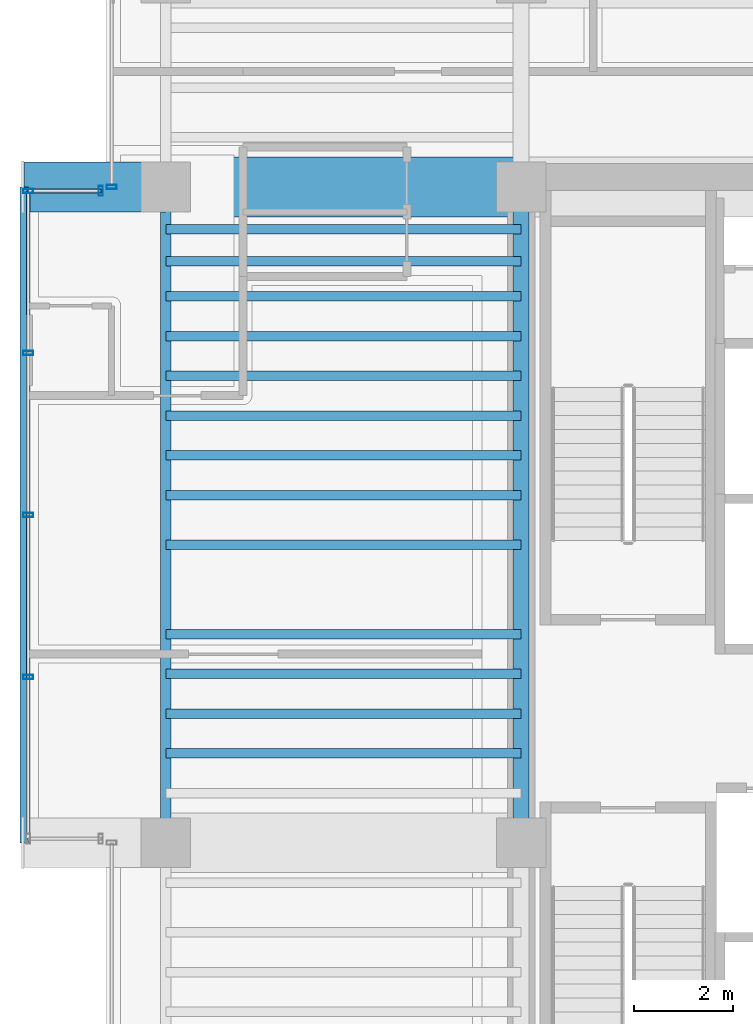
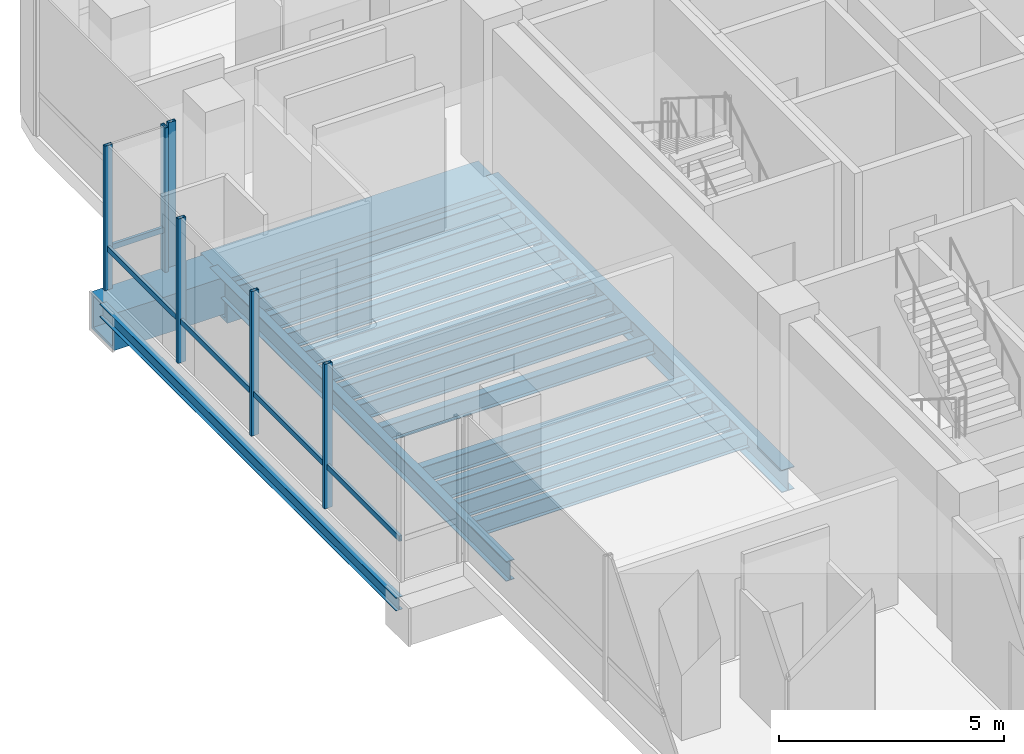
# One storey, part 7 of 37: 18 beams, 8 members, 3 elements without a shape of their own.
"""IFC4 building model written with IfcOpenShell, lengths in metres."""

from ifc_helpers import new_model, si_unit, direction, frame, origin, origin_2d, place, context, subcontext, project, spatial, hollow_rectangle, i_section, extrude, source, transform, mapped, material, material_profile, profile_set, type_object, element, aggregate, save


model = new_model("IFC4")

# Units and contexts
model_context = context("Model", 3, precision=1e-05, world=origin(), true_north=direction((0.0, 1.0)))
body_context = subcontext(model_context, "Body", "Model", "MODEL_VIEW")
ifc_project = project(units=[si_unit("LENGTHUNIT", "METRE"), si_unit("AREAUNIT", "SQUARE_METRE"), si_unit("VOLUMEUNIT", "CUBIC_METRE"), si_unit("PLANEANGLEUNIT", "RADIAN"), si_unit("MASSUNIT", "GRAM", prefix="KILO")], contexts=[model_context])

# Site, building, storey
site_placement = place(None, origin())
site = spatial("IfcSite", under=ifc_project, at=site_placement, CompositionType="ELEMENT")
building_placement = place(site_placement, origin())
building = spatial("IfcBuilding", under=site, at=building_placement, Name="Valdorenza Pilgrim Sanctuary Tower", CompositionType="ELEMENT")
storey_placement = place(building_placement, frame((0.0, 0.0, 172.300048828125)))
storey = spatial("IfcBuildingStorey", under=building, at=storey_placement, Name="L44", CompositionType="ELEMENT", Elevation=172.300048828125)

# Beams
ifc_material_1 = material(Name="Steel ASTM A992 Grade 50", Category="steel")
ifc_material_profile_1 = material_profile(ifc_material_1, i_section(OverallWidth=0.323974609375, OverallDepth=0.611083984375, WebThickness=0.0126953125, FlangeThickness=0.01904296875, at=origin_2d()), Name="W24X104")
ifc_profile_set_1 = profile_set([ifc_material_profile_1], Name="Steel ASTM A992 Grade 50")
beam_type_1 = type_object("IfcBeamType", Name="STR-BM-GRD-W24B", PredefinedType="BEAM", material=ifc_profile_set_1)
shared_shape_1 = source(origin(), body_context, "Body", "SweptSolid", [
    extrude(i_section(OverallWidth=0.323974609375, OverallDepth=0.611083984375, WebThickness=0.0126953125, FlangeThickness=0.01904296875, at=origin_2d()), origin(), (0.0, 0.0, 1.0), 13.2001953125),
])
beam_1_placement = place(storey_placement, frame((-22.64990234375, -2.60009765625, -0.70556640625), z_axis=(0.0, 1.0, 0.0), x_axis=(-1.0, 0.0, 0.0)))
element("IfcBeam", 1, at=beam_1_placement, inside=storey, type_object=beam_type_1, Name="L44 Core Tie Girder CA-W-M0N1", PredefinedType="BEAM", context=body_context, shape_type="MappedRepresentation", body=[
    mapped(shared_shape_1, transform((0.0, 0.0, 0.0), x_axis=(1.0, 0.0, 0.0), y_axis=(0.0, 1.0, 0.0), z_axis=(0.0, 0.0, 1.0), scale=1.0)),
])
ifc_material_2 = material(Name="Steel ASTM A572 Grade 42", Category="steel")
ifc_material_profile_2 = material_profile(ifc_material_2, hollow_rectangle(XDim=1.199951171875, YDim=1.199951171875, WallThickness=0.090087890625, at=origin_2d()), Name="BOX 1200x1200x90")
ifc_profile_set_2 = profile_set([ifc_material_profile_2], Name="Steel ASTM A572 Grade 42")
beam_type_2 = type_object("IfcBeamType", Name="STR-BM-TRF-1200", PredefinedType="BEAM", material=ifc_profile_set_2)
shared_shape_2 = source(origin(), body_context, "Body", "SweptSolid", [
    extrude(hollow_rectangle(XDim=1.199951171875, YDim=1.199951171875, WallThickness=0.090087890625, at=origin_2d()), origin(), (0.0, 0.0, 1.0), 7.150146484375),
])
beam_2_placement = place(storey_placement, frame((-29.800048828125, 10.60009765625, -1.0), z_axis=(1.0, 0.0, 0.0), x_axis=(0.0, 1.0, 0.0)))
element("IfcBeam", 2, at=beam_2_placement, inside=storey, type_object=beam_type_2, Name="L44 Transfer Girder WA-XW-N1", PredefinedType="BEAM", context=body_context, shape_type="MappedRepresentation", body=[
    mapped(shared_shape_2, transform((0.0, 0.0, 0.0), x_axis=(1.0, 0.0, 0.0), y_axis=(0.0, 1.0, 0.0), z_axis=(0.0, 0.0, 1.0), scale=1.0)),
])
ifc_material_profile_3 = material_profile(ifc_material_1, i_section(OverallWidth=0.1708984375, OverallDepth=0.35107421875, WebThickness=0.0068359375, FlangeThickness=0.009765625, at=origin_2d()), Name="W14X30")
ifc_profile_set_3 = profile_set([ifc_material_profile_3], Name="Steel ASTM A992 Grade 50")
beam_type_3 = type_object("IfcBeamType", Name="STR-BM-BOX-W14", PredefinedType="BEAM", material=ifc_profile_set_3)
shared_shape_3 = source(origin(), body_context, "Body", "SweptSolid", [
    extrude(i_section(OverallWidth=0.1708984375, OverallDepth=0.35107421875, WebThickness=0.0068359375, FlangeThickness=0.009765625, at=origin_2d()), origin(), (0.0, 0.0, 1.0), 13.2001953125),
])
beam_3_placement = place(storey_placement, frame((-32.64990234375, -2.60009765625, -0.575439453125), z_axis=(0.0, 1.0, 0.0), x_axis=(-1.0, 0.0, 0.0)))
element("IfcBeam", 3, at=beam_3_placement, inside=storey, type_object=beam_type_3, Name="L44 Glass Box Edge Beam BOX-WA-L44-F", PredefinedType="BEAM", context=body_context, shape_type="MappedRepresentation", body=[
    mapped(shared_shape_3, transform((0.0, 0.0, 0.0), x_axis=(1.0, 0.0, 0.0), y_axis=(0.0, 1.0, 0.0), z_axis=(0.0, 0.0, 1.0), scale=1.0)),
])
ifc_material_profile_4 = material_profile(ifc_material_1, i_section(OverallWidth=0.19091796875, OverallDepth=0.45703125, WebThickness=0.009033203125, FlangeThickness=0.014404296875, at=origin_2d()), Name="W18X50")
ifc_profile_set_4 = profile_set([ifc_material_profile_4], Name="Steel ASTM A992 Grade 50")
beam_type_4 = type_object("IfcBeamType", Name="STR-BM-JST-W18B", PredefinedType="JOIST", material=ifc_profile_set_4)
shared_shape_4 = source(origin(), body_context, "Body", "SweptSolid", [
    extrude(i_section(OverallWidth=0.19091796875, OverallDepth=0.45703125, WebThickness=0.009033203125, FlangeThickness=0.014404296875, at=origin_2d()), origin(), (0.0, 0.0, 1.0), 7.150146484375),
])
for number, where, z_axis, x_axis, name in (
    (4, (-29.800048828125, -0.800048828125, -0.628662109375), (1.0, 0.0, 0.0), (0.0, 1.0, 0.0), "L44 Composite Floor Joist JST-WA-11"),
    (5, (-29.800048828125, 0.0, -0.628662109375), (1.0, 0.0, 0.0), (0.0, 1.0, 0.0), "L44 Composite Floor Joist JST-WA-12"),
    (6, (-29.800048828125, 0.800048828125, -0.628662109375), (1.0, 0.0, 0.0), (0.0, 1.0, 0.0), "L44 Composite Floor Joist JST-WA-13"),
    (7, (-29.800048828125, 1.60009765625, -0.628662109375), (1.0, 0.0, 0.0), (0.0, 1.0, 0.0), "L44 Composite Floor Joist JST-WA-14"),
    (8, (-29.800048828125, 3.39990234375, -0.628662109375), (1.0, 0.0, 0.0), (0.0, 1.0, 0.0), "L44 Composite Floor Joist JST-WA-15"),
    (9, (-29.800048828125, 4.39990234375, -0.628662109375), (1.0, 0.0, 0.0), (0.0, 1.0, 0.0), "L44 Composite Floor Joist JST-WA-16"),
    (10, (-29.800048828125, 5.199951171875, -0.628662109375), (1.0, 0.0, 0.0), (0.0, 1.0, 0.0), "L44 Composite Floor Joist JST-WA-17"),
    (11, (-29.800048828125, 6.0, -0.628662109375), (1.0, 0.0, 0.0), (0.0, 1.0, 0.0), "L44 Composite Floor Joist JST-WA-18"),
    (12, (-29.800048828125, 6.800048828125, -0.628662109375), (1.0, 0.0, 0.0), (0.0, 1.0, 0.0), "L44 Composite Floor Joist JST-WA-19"),
    (13, (-29.800048828125, 7.60009765625, -0.628662109375), (1.0, 0.0, 0.0), (0.0, 1.0, 0.0), "L44 Composite Floor Joist JST-WA-20"),
    (14, (-29.800048828125, 8.39990234375, -0.628662109375), (1.0, 0.0, 0.0), (0.0, 1.0, 0.0), "L44 Composite Floor Joist JST-WA-21"),
    (15, (-29.800048828125, 9.10009765625, -0.628662109375), (1.0, 0.0, 0.0), (0.0, 1.0, 0.0), "L44 Composite Floor Joist JST-WA-22"),
    (16, (-29.800048828125, 9.75, -0.628662109375), (1.0, 0.0, 0.0), (0.0, 1.0, 0.0), "L44 Composite Floor Joist JST-WA-23"),
):
    element("IfcBeam", number, at=place(storey_placement, frame(where, z_axis=z_axis, x_axis=x_axis)), inside=storey, type_object=beam_type_4, Name=name, PredefinedType="JOIST", context=body_context, shape_type="MappedRepresentation", body=[
        mapped(shared_shape_4, transform((0.0, 0.0, 0.0), x_axis=(1.0, 0.0, 0.0), y_axis=(0.0, 1.0, 0.0), z_axis=(0.0, 0.0, 1.0), scale=1.0)),
    ])
ifc_material_profile_5 = material_profile(ifc_material_2, hollow_rectangle(XDim=1.0, YDim=1.0, WallThickness=0.080078125, at=origin_2d()), Name="BOX 1000x1000x80")
ifc_profile_set_5 = profile_set([ifc_material_profile_5], Name="Steel ASTM A572 Grade 42")
beam_type_5 = type_object("IfcBeamType", Name="STR-BM-PROW-CANT", PredefinedType="BEAM", material=ifc_profile_set_5)
shared_shape_5 = source(origin(), body_context, "Body", "SweptSolid", [
    extrude(hollow_rectangle(XDim=1.0, YDim=1.0, WallThickness=0.080078125, at=origin_2d()), origin(), (0.0, 0.0, 1.0), 2.849853515625),
])
beam_4_placement = place(storey_placement, frame((-29.800048828125, 10.60009765625, -0.900146484375), z_axis=(-1.0, 0.0, 0.0), x_axis=(0.0, -1.0, 0.0)))
element("IfcBeam", 17, at=beam_4_placement, inside=storey, type_object=beam_type_5, Name="L44 Glass Box Cantilever Beam BOX-WA-L44-CT-N", PredefinedType="BEAM", context=body_context, shape_type="MappedRepresentation", body=[
    mapped(shared_shape_5, transform((0.0, 0.0, 0.0), x_axis=(1.0, 0.0, 0.0), y_axis=(0.0, 1.0, 0.0), z_axis=(0.0, 0.0, 1.0), scale=1.0)),
])
ifc_material_profile_6 = material_profile(ifc_material_1, i_section(OverallWidth=0.2109375, OverallDepth=0.5390625, WebThickness=0.01171875, FlangeThickness=0.018798828125, at=origin_2d()), Name="W21X73")
ifc_profile_set_6 = profile_set([ifc_material_profile_6], Name="Steel ASTM A992 Grade 50")
beam_type_6 = type_object("IfcBeamType", Name="STR-BM-SPN-W21B", PredefinedType="SPANDREL", material=ifc_profile_set_6)
shared_shape_6 = source(origin(), body_context, "Body", "SweptSolid", [
    extrude(i_section(OverallWidth=0.2109375, OverallDepth=0.5390625, WebThickness=0.01171875, FlangeThickness=0.018798828125, at=origin_2d()), origin(), (0.0, 0.0, 1.0), 13.2001953125),
])
beam_5_placement = place(storey_placement, frame((-29.800048828125, -2.60009765625, -0.66943359375), z_axis=(0.0, 1.0, 0.0), x_axis=(-1.0, 0.0, 0.0)))
element("IfcBeam", 18, at=beam_5_placement, inside=storey, type_object=beam_type_6, Name="L44 Spandrel Beam WA-W-M0N1", PredefinedType="SPANDREL", context=body_context, shape_type="MappedRepresentation", body=[
    mapped(shared_shape_6, transform((0.0, 0.0, 0.0), x_axis=(1.0, 0.0, 0.0), y_axis=(0.0, 1.0, 0.0), z_axis=(0.0, 0.0, 1.0), scale=1.0)),
])

# Curtain wall, member
ifc_material_3 = material(Name="Curtain-wall IGU glazing", Category="glass")
curtain_wall_type = type_object("IfcCurtainWallType", Name="CW-SYS-02", PredefinedType="NOTDEFINED", material=ifc_material_3)
curtain_wall_1_placement = place(storey_placement, origin())
curtain_wall_1 = element("IfcCurtainWall", 19, at=curtain_wall_1_placement, inside=storey, type_object=curtain_wall_type, Name="L44 Curtain Wall CW-L44-BOX-WA-L44-N", PredefinedType="NOTDEFINED")
ifc_material_4 = material(Name="Anodised aluminium AW-6060", Category="aluminium")
ifc_material_profile_7 = material_profile(ifc_material_4, hollow_rectangle(XDim=0.074951171875, YDim=0.14990234375, WallThickness=0.00390625, at=origin_2d()), Name="ALU-T 150x75x4")
ifc_profile_set_7 = profile_set([ifc_material_profile_7], Name="Anodised aluminium AW-6060")
member_type_1 = type_object("IfcMemberType", Name="CW-TRN-02", PredefinedType="USERDEFINED", material=ifc_profile_set_7)
shared_shape_7 = source(origin(), body_context, "Body", "SweptSolid", [
    extrude(hollow_rectangle(XDim=0.074951171875, YDim=0.14990234375, WallThickness=0.00390625, at=origin_2d()), origin(), (0.0, 0.0, 1.0), 1.4599609375),
])
member_1_placement = place(storey_placement, frame((-32.570068359375, 10.52001953125, 1.119873046875), z_axis=(1.0, 0.0, 0.0), x_axis=(0.0, 1.0, 0.0)))
member_1 = element("IfcMember", 20, at=member_1_placement, type_object=member_type_1, Name="CW-L44-BOX-WA-L44-N Transom 1", ObjectType="TRANSOM", PredefinedType="USERDEFINED", context=body_context, shape_type="MappedRepresentation", body=[
    mapped(shared_shape_7, transform((0.0, 0.0, 0.0), x_axis=(1.0, 0.0, 0.0), y_axis=(0.0, 1.0, 0.0), z_axis=(0.0, 0.0, 1.0), scale=1.0)),
])

curtain_wall_2_placement = place(storey_placement, origin())
curtain_wall_2 = element("IfcCurtainWall", 21, at=curtain_wall_2_placement, inside=storey, type_object=curtain_wall_type, Name="L44 Curtain Wall CW-L44-BOX-WA-L44-F", PredefinedType="NOTDEFINED")
shared_shape_8 = source(origin(), body_context, "Body", "SweptSolid", [
    extrude(hollow_rectangle(XDim=0.074951171875, YDim=0.14990234375, WallThickness=0.00390625, at=origin_2d()), origin(), (0.0, 0.0, 1.0), 13.0400390625),
])
member_2_placement = place(storey_placement, frame((-32.570068359375, -2.52001953125, 1.119873046875), z_axis=(0.0, 1.0, 0.0), x_axis=(-1.0, 0.0, 0.0)))
member_2 = element("IfcMember", 22, at=member_2_placement, type_object=member_type_1, Name="CW-L44-BOX-WA-L44-F Transom 1", ObjectType="TRANSOM", PredefinedType="USERDEFINED", context=body_context, shape_type="MappedRepresentation", body=[
    mapped(shared_shape_8, transform((0.0, 0.0, 0.0), x_axis=(1.0, 0.0, 0.0), y_axis=(0.0, 1.0, 0.0), z_axis=(0.0, 0.0, 1.0), scale=1.0)),
])

curtain_wall_3_placement = place(storey_placement, origin())
curtain_wall_3 = element("IfcCurtainWall", 23, at=curtain_wall_3_placement, inside=storey, type_object=curtain_wall_type, Name="L44 Curtain Wall CW-L44-1-1S2", PredefinedType="NOTDEFINED")
ifc_material_profile_8 = material_profile(ifc_material_4, hollow_rectangle(XDim=0.0849609375, YDim=0.199951171875, WallThickness=0.0048828125, at=origin_2d()), Name="ALU-M 200x85x5")
ifc_profile_set_8 = profile_set([ifc_material_profile_8], Name="Anodised aluminium AW-6060")
member_type_2 = type_object("IfcMemberType", Name="CW-MUL-02", PredefinedType="MULLION", material=ifc_profile_set_8)
shared_shape_9 = source(origin(), body_context, "Body", "SweptSolid", [
    extrude(hollow_rectangle(XDim=0.0849609375, YDim=0.199951171875, WallThickness=0.0048828125, at=origin_2d()), origin(), (0.0, 0.0, 1.0), 3.929931640625),
])
member_3_placement = place(storey_placement, frame((-30.889892578125, 10.60009765625, 0.0), z_axis=(0.0, 0.0, 1.0), x_axis=(0.0, 1.0, 0.0)))
member_3 = element("IfcMember", 24, at=member_3_placement, type_object=member_type_2, Name="CW-L44-1-1S2 Mullion 1", PredefinedType="MULLION", context=body_context, shape_type="MappedRepresentation", body=[
    mapped(shared_shape_9, transform((0.0, 0.0, 0.0), x_axis=(1.0, 0.0, 0.0), y_axis=(0.0, 1.0, 0.0), z_axis=(0.0, 0.0, 1.0), scale=1.0)),
])
aggregate(curtain_wall_3, [member_3])

# Member
member_4_placement = place(storey_placement, frame((-32.570068359375, 0.739990234375, 0.0), z_axis=(0.0, 0.0, 1.0), x_axis=(0.0, 1.0, 0.0)))
member_4 = element("IfcMember", 25, at=member_4_placement, type_object=member_type_2, Name="CW-L44-BOX-WA-L44-F Mullion 2", PredefinedType="MULLION", context=body_context, shape_type="MappedRepresentation", body=[
    mapped(shared_shape_9, transform((0.0, 0.0, 0.0), x_axis=(1.0, 0.0, 0.0), y_axis=(0.0, 1.0, 0.0), z_axis=(0.0, 0.0, 1.0), scale=1.0)),
])

member_5_placement = place(storey_placement, frame((-32.570068359375, 4.0, 0.0), z_axis=(0.0, 0.0, 1.0), x_axis=(0.0, 1.0, 0.0)))
member_5 = element("IfcMember", 26, at=member_5_placement, type_object=member_type_2, Name="CW-L44-BOX-WA-L44-F Mullion 3", PredefinedType="MULLION", context=body_context, shape_type="MappedRepresentation", body=[
    mapped(shared_shape_9, transform((0.0, 0.0, 0.0), x_axis=(1.0, 0.0, 0.0), y_axis=(0.0, 1.0, 0.0), z_axis=(0.0, 0.0, 1.0), scale=1.0)),
])

member_6_placement = place(storey_placement, frame((-32.570068359375, 7.260009765625, 0.0), z_axis=(0.0, 0.0, 1.0), x_axis=(0.0, 1.0, 0.0)))
member_6 = element("IfcMember", 27, at=member_6_placement, type_object=member_type_2, Name="CW-L44-BOX-WA-L44-F Mullion 4", PredefinedType="MULLION", context=body_context, shape_type="MappedRepresentation", body=[
    mapped(shared_shape_9, transform((0.0, 0.0, 0.0), x_axis=(1.0, 0.0, 0.0), y_axis=(0.0, 1.0, 0.0), z_axis=(0.0, 0.0, 1.0), scale=1.0)),
])

member_7_placement = place(storey_placement, frame((-32.570068359375, 10.52001953125, 0.0), z_axis=(0.0, 0.0, 1.0), x_axis=(0.0, 1.0, 0.0)))
member_7 = element("IfcMember", 28, at=member_7_placement, type_object=member_type_2, Name="CW-L44-BOX-WA-L44-F Mullion 5", PredefinedType="MULLION", context=body_context, shape_type="MappedRepresentation", body=[
    mapped(shared_shape_9, transform((0.0, 0.0, 0.0), x_axis=(1.0, 0.0, 0.0), y_axis=(0.0, 1.0, 0.0), z_axis=(0.0, 0.0, 1.0), scale=1.0)),
])

aggregate(curtain_wall_2, [member_4, member_5, member_6, member_7, member_2])

member_8_placement = place(storey_placement, frame((-31.110107421875, 10.52001953125, 0.0), z_axis=(0.0, 0.0, 1.0), x_axis=(1.0, 0.0, 0.0)))
member_8 = element("IfcMember", 29, at=member_8_placement, type_object=member_type_2, Name="CW-L44-BOX-WA-L44-N Mullion 2", PredefinedType="MULLION", context=body_context, shape_type="MappedRepresentation", body=[
    mapped(shared_shape_9, transform((0.0, 0.0, 0.0), x_axis=(1.0, 0.0, 0.0), y_axis=(0.0, 1.0, 0.0), z_axis=(0.0, 0.0, 1.0), scale=1.0)),
])

aggregate(curtain_wall_1, [member_8, member_1])

save(model, "model.ifc")
